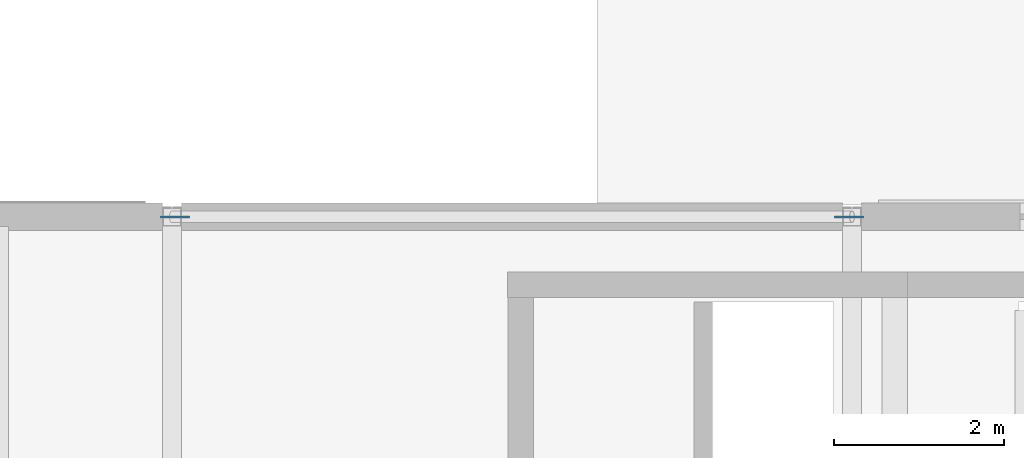
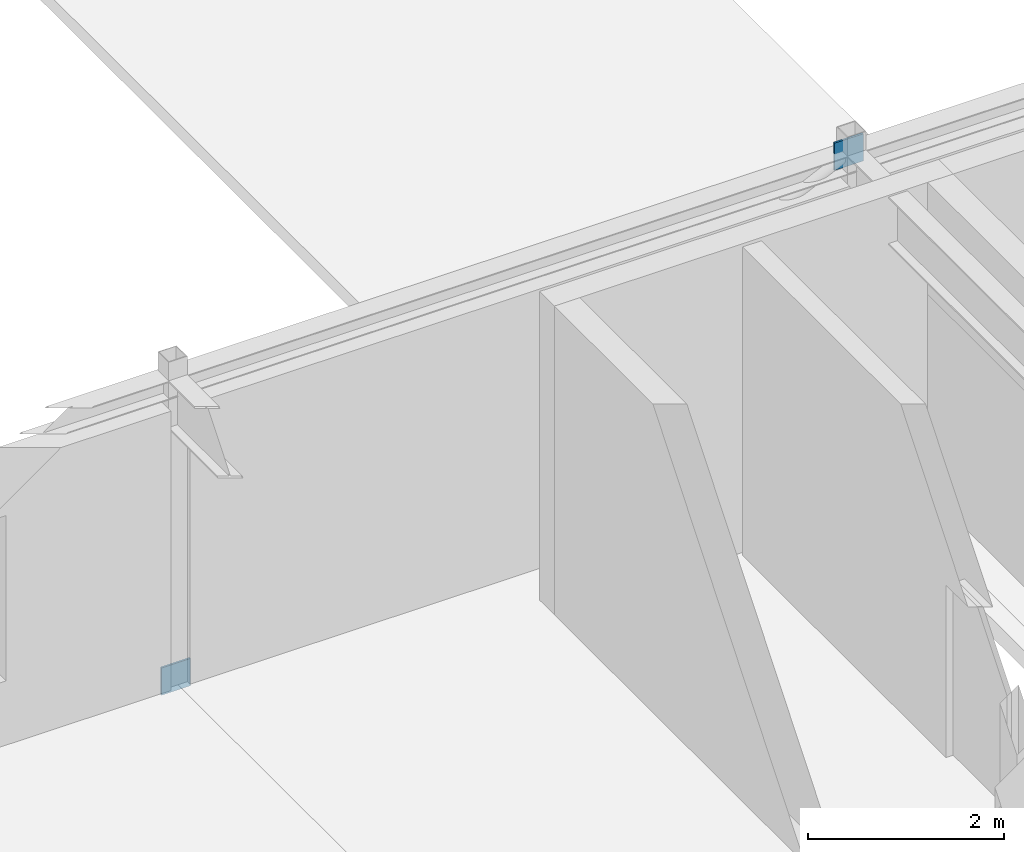
# One storey, part 101 of 114: 2 discrete accessories.
"""IFC4 building model written with IfcOpenShell, lengths in metres."""

from ifc_helpers import new_model, si_unit, direction, frame, origin, origin_2d, place, context, subcontext, project, spatial, rectangle, extrude, material, type_object, element, save


model = new_model("IFC4")

# Units and contexts
model_context = context("Model", 3, precision=1e-05, world=origin(), true_north=direction((0.0, 1.0)))
body_context = subcontext(model_context, "Body", "Model", "MODEL_VIEW")
ifc_project = project(units=[si_unit("LENGTHUNIT", "METRE"), si_unit("AREAUNIT", "SQUARE_METRE"), si_unit("VOLUMEUNIT", "CUBIC_METRE"), si_unit("PLANEANGLEUNIT", "RADIAN"), si_unit("MASSUNIT", "GRAM", prefix="KILO")], contexts=[model_context])

# Site, building, storey
site_placement = place(None, origin())
site = spatial("IfcSite", under=ifc_project, at=site_placement, CompositionType="ELEMENT")
building_placement = place(site_placement, origin())
building = spatial("IfcBuilding", under=site, at=building_placement, Name="Montecoro Central Library", CompositionType="ELEMENT")
storey_placement = place(building_placement, frame((0.0, 0.0, 13.260009765625)))
storey = spatial("IfcBuildingStorey", under=building, at=storey_placement, Name="L03", CompositionType="ELEMENT", Elevation=13.260009765625)

# Discrete accessories
ifc_material = material(Name="Steel S355", Category="steel")
discrete_accessory_type = type_object("IfcDiscreteAccessoryType", Name="GUSSET-PLT-01", PredefinedType="BRACKET", material=ifc_material)
for number, where, z_axis, x_axis, name in (
    (1, (149.035888671875, 43.0, -0.14306640625), (0.0, 0.0, 1.0), (1.0, 0.0, 0.0), "V6-L03-BRN1-GPA"),
    (2, (156.964111328125, 43.0, 3.6181640625), (0.0, 0.0, 1.0), (1.0, 0.0, 0.0), "V6-L03-BRN1-GPB"),
):
    element("IfcDiscreteAccessory", number, at=place(storey_placement, frame(where, z_axis=z_axis, x_axis=x_axis)), inside=storey, type_object=discrete_accessory_type, Name=name, PredefinedType="BRACKET", context=body_context, shape_type="SweptSolid", body=[
        extrude(rectangle(XDim=0.340087890625, YDim=0.02392578125, at=origin_2d()), origin(), (0.0, 0.0, 1.0), 0.340087890625),
    ])

save(model, "model.ifc")
